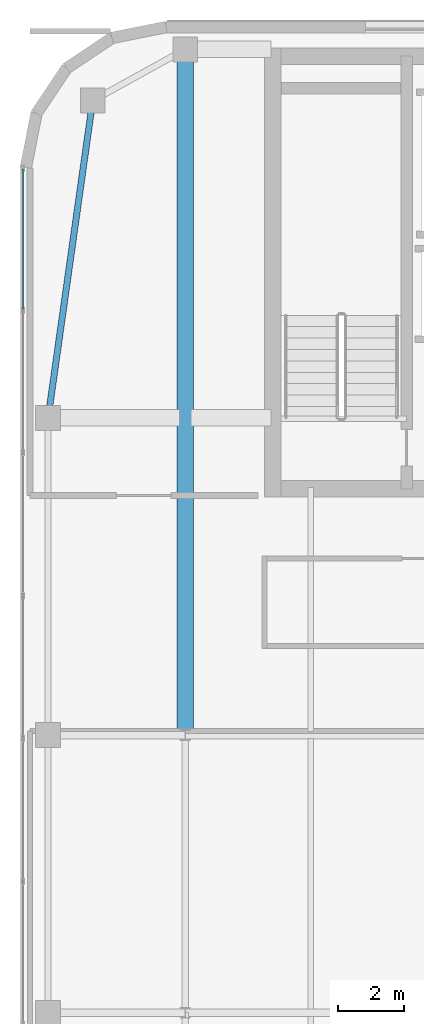
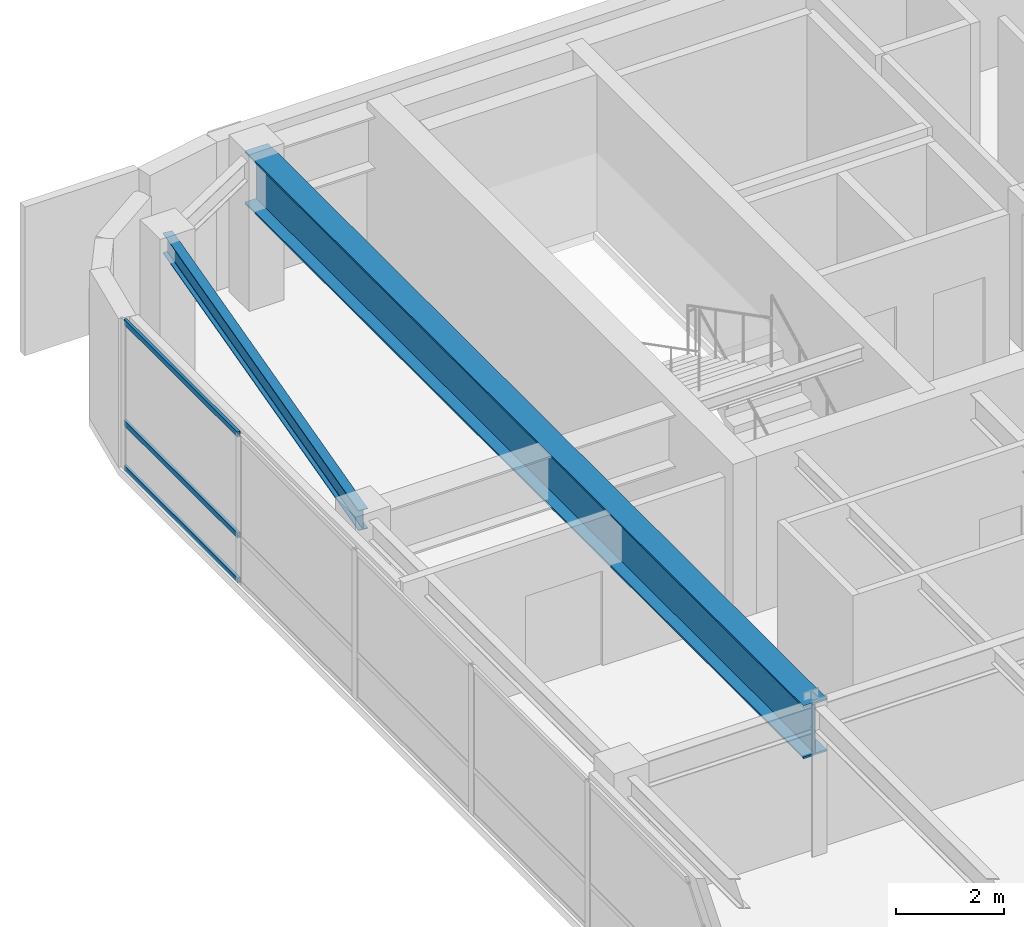
# One storey, part 12 of 21: 3 members, 2 beams, 1 element without a shape of its own.
"""IFC4 building model written with IfcOpenShell, lengths in metres."""

from ifc_helpers import new_model, si_unit, direction, frame, origin, origin_2d, place, context, subcontext, project, spatial, hollow_rectangle, i_section, extrude, source, transform, mapped, material, layer, layer_set, material_profile, profile_set, type_object, type_shapes, element, aggregate, save


model = new_model("IFC4")

# Units and contexts
model_context = context("Model", 3, precision=1e-05, world=origin(), true_north=direction((0.0, 1.0)))
body_context = subcontext(model_context, "Body", "Model", "MODEL_VIEW")
ifc_project = project(units=[si_unit("LENGTHUNIT", "METRE"), si_unit("AREAUNIT", "SQUARE_METRE"), si_unit("VOLUMEUNIT", "CUBIC_METRE"), si_unit("PLANEANGLEUNIT", "RADIAN"), si_unit("MASSUNIT", "GRAM", prefix="KILO")], contexts=[model_context])

# Site, building, storey
site_placement = place(None, origin())
site = spatial("IfcSite", under=ifc_project, at=site_placement, CompositionType="ELEMENT")
building_placement = place(site_placement, origin())
building = spatial("IfcBuilding", under=site, at=building_placement, Name="Tolvann Quenvar Hotel", CompositionType="ELEMENT")
storey_placement = place(building_placement, frame((0.0, 0.0, 227.449951171875)))
storey = spatial("IfcBuildingStorey", under=building, at=storey_placement, Name="L60", CompositionType="ELEMENT", Elevation=227.449951171875)

# Beams
ifc_material_1 = material(Name="Steel Grade 350", Category="steel")
ifc_material_profile_1 = material_profile(ifc_material_1, i_section(OverallWidth=0.5, OverallDepth=1.199951171875, WebThickness=0.01611328125, FlangeThickness=0.0400390625, at=origin_2d()), Name="1200WB455")
ifc_profile_set_1 = profile_set([ifc_material_profile_1], Name="Steel Grade 350")
beam_type_1 = type_object("IfcBeamType", Name="BM_TG_1200WB455", PredefinedType="USERDEFINED", material=ifc_profile_set_1)
shared_shape_1 = source(origin(), body_context, "Body", "SweptSolid", [
    extrude(i_section(OverallWidth=0.5, OverallDepth=1.199951171875, WebThickness=0.01611328125, FlangeThickness=0.0400390625, at=origin_2d()), origin(), (0.0, 0.0, 1.0), 20.75),
])
type_shapes(beam_type_1, [shared_shape_1])
beam_1_placement = place(storey_placement, frame((7.60009765625, 24.39990234375, 2.77001953125), z_axis=(0.0, 1.0, 0.0), x_axis=(-1.0, 0.0, 0.0)))
element("IfcBeam", 1, at=beam_1_placement, inside=storey, type_object=beam_type_1, Name="BM-L60-FLK-WC", ObjectType="TRANSFER GIRDER", PredefinedType="USERDEFINED", context=body_context, shape_type="MappedRepresentation", body=[
    mapped(shared_shape_1, transform((0.0, 0.0, 0.0), x_axis=(1.0, 0.0, 0.0), y_axis=(0.0, 1.0, 0.0), z_axis=(0.0, 0.0, 1.0), scale=1.0)),
])
ifc_material_profile_2 = material_profile(ifc_material_1, i_section(OverallWidth=0.19091796875, OverallDepth=0.4599609375, WebThickness=0.010009765625, FlangeThickness=0.01611328125, FilletRadius=0.011474609375, at=origin_2d()), Name="460UB82")
ifc_profile_set_2 = profile_set([ifc_material_profile_2], Name="Steel Grade 350")
beam_type_2 = type_object("IfcBeamType", Name="BM_SPAND_460UB82", PredefinedType="SPANDREL", material=ifc_profile_set_2)
shared_shape_2 = source(origin(), body_context, "Body", "SweptSolid", [
    extrude(i_section(OverallWidth=0.19091796875, OverallDepth=0.4599609375, WebThickness=0.010009765625, FlangeThickness=0.01611328125, FilletRadius=0.011474609375, at=origin_2d()), origin(), (0.0, 0.0, 1.0), 9.694580078125),
])
type_shapes(beam_type_2, [shared_shape_2])
beam_2_placement = place(storey_placement, frame((3.449951171875, 34.0, 3.14013671875), z_axis=(0.139263320262, 0.990255385055, 0.0), x_axis=(-0.990255385055, 0.139263320262, 0.0)))
element("IfcBeam", 2, at=beam_2_placement, inside=storey, type_object=beam_type_2, Name="BM-L60-FLK-W2", PredefinedType="SPANDREL", context=body_context, shape_type="MappedRepresentation", body=[
    mapped(shared_shape_2, transform((0.0, 0.0, 0.0), x_axis=(1.0, 0.0, 0.0), y_axis=(0.0, 1.0, 0.0), z_axis=(0.0, 0.0, 1.0), scale=1.0)),
])

# Curtain wall, members
ifc_material_2 = material(Name="Thermally broken anodised architectural aluminium 6063-T6 and laminated low-E glass", Category="aluminium")
ifc_layer = layer(ifc_material_2, 0.179931640625)
ifc_layer_set = layer_set([ifc_layer], Name="Thermally broken anodised architectural aluminium 6063-T6 and laminated low-E glass")
curtain_wall_type = type_object("IfcCurtainWallType", Name="CW_SYS_BAND_04", PredefinedType="USERDEFINED", material=ifc_layer_set)
curtain_wall_placement = place(storey_placement, origin())
curtain_wall = element("IfcCurtainWall", 3, at=curtain_wall_placement, inside=storey, type_object=curtain_wall_type, Name="Curtain Wall CW-BAND-04 (CWR-L60-E19)", ObjectType="UNITISED CURTAIN WALL", PredefinedType="USERDEFINED")
ifc_material_3 = material(Name="Anodised architectural aluminium 6063-T6 framing", Category="aluminium")
ifc_material_profile_3 = material_profile(ifc_material_3, hollow_rectangle(XDim=0.06005859375, YDim=0.1201171875, WallThickness=0.00341796875, at=origin_2d()), Name="120x60x3.5RHS")
ifc_profile_set_3 = profile_set([ifc_material_profile_3], Name="Anodised architectural aluminium 6063-T6 framing")
member_type = type_object("IfcMemberType", Name="CW_TRAN_120x60", PredefinedType="USERDEFINED", material=ifc_profile_set_3)
shared_shape_3 = source(origin(), body_context, "Body", "SweptSolid", [
    extrude(hollow_rectangle(XDim=0.06005859375, YDim=0.1201171875, WallThickness=0.00341796875, at=origin_2d()), origin(), (0.0, 0.0, 1.0), 4.215576171875),
])
type_shapes(member_type, [shared_shape_3])
member_1_placement = place(storey_placement, frame((2.68994140625, 41.5126953125, 0.030029296875), z_axis=(0.0, -1.0, 0.0), x_axis=(1.0, 0.0, 0.0)))
member_1 = element("IfcMember", 4, at=member_1_placement, type_object=member_type, Name="CW-BAND-04 transom 1.1", ObjectType="TRANSOM", PredefinedType="USERDEFINED", context=body_context, shape_type="MappedRepresentation", body=[
    mapped(shared_shape_3, transform((0.0, 0.0, 0.0), x_axis=(1.0, 0.0, 0.0), y_axis=(0.0, 1.0, 0.0), z_axis=(0.0, 0.0, 1.0), scale=1.0)),
])
member_2_placement = place(storey_placement, frame((2.68994140625, 41.5126953125, 1.050048828125), z_axis=(0.0, -1.0, 0.0), x_axis=(1.0, 0.0, 0.0)))
member_2 = element("IfcMember", 5, at=member_2_placement, type_object=member_type, Name="CW-BAND-04 transom 1.2", ObjectType="TRANSOM", PredefinedType="USERDEFINED", context=body_context, shape_type="MappedRepresentation", body=[
    mapped(shared_shape_3, transform((0.0, 0.0, 0.0), x_axis=(1.0, 0.0, 0.0), y_axis=(0.0, 1.0, 0.0), z_axis=(0.0, 0.0, 1.0), scale=1.0)),
])
member_3_placement = place(storey_placement, frame((2.68994140625, 41.5126953125, 3.340087890625), z_axis=(0.0, -1.0, 0.0), x_axis=(1.0, 0.0, 0.0)))
member_3 = element("IfcMember", 6, at=member_3_placement, type_object=member_type, Name="CW-BAND-04 transom 1.3", ObjectType="TRANSOM", PredefinedType="USERDEFINED", context=body_context, shape_type="MappedRepresentation", body=[
    mapped(shared_shape_3, transform((0.0, 0.0, 0.0), x_axis=(1.0, 0.0, 0.0), y_axis=(0.0, 1.0, 0.0), z_axis=(0.0, 0.0, 1.0), scale=1.0)),
])
aggregate(curtain_wall, [member_1, member_2, member_3])

save(model, "model.ifc")
